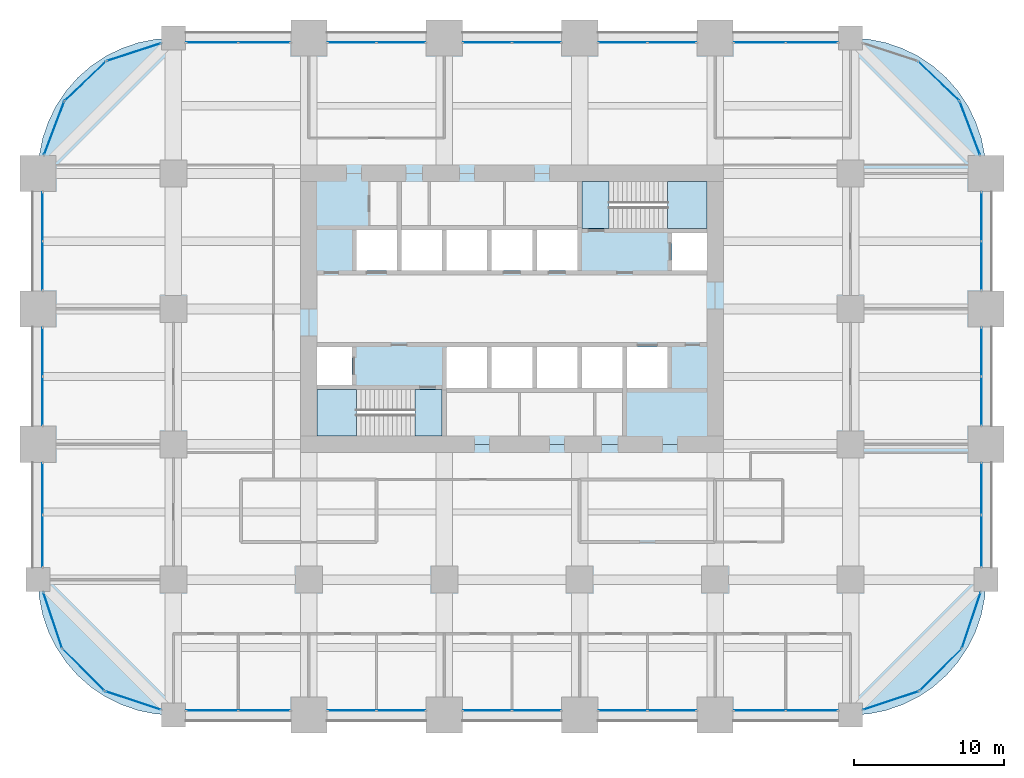
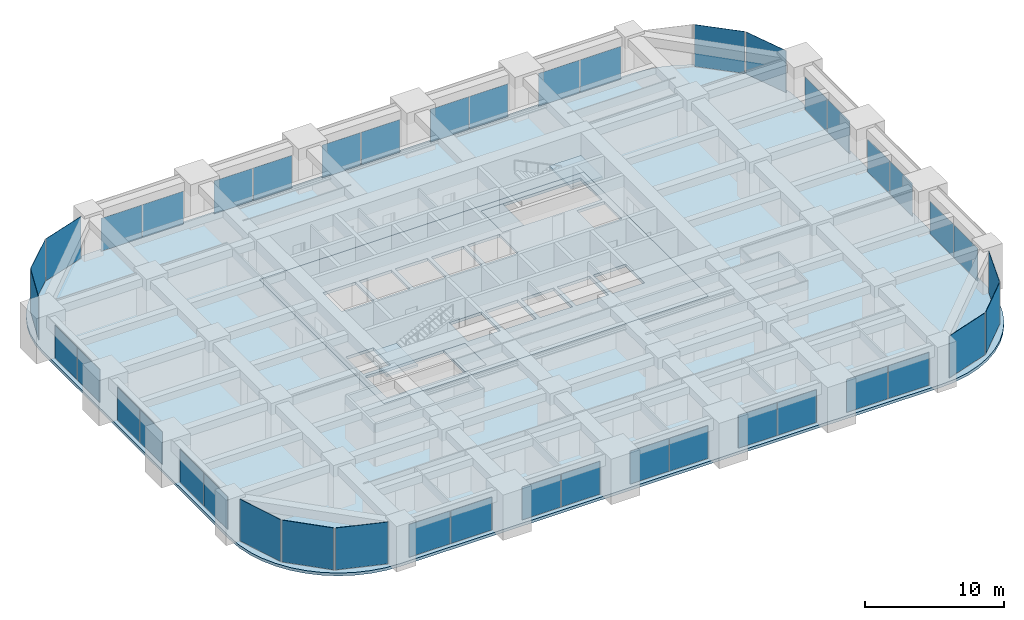
# One storey, part 35 of 40: 43 plates, 6 slabs, 29 elements without a shape of their own.
"""IFC4 building model written with IfcOpenShell, lengths in metres."""

from ifc_helpers import new_model, si_unit, direction, frame, origin, origin_2d, place, context, subcontext, project, spatial, polyline, rectangle, outline, extrude, material, layer, layer_set, type_object, element, aggregate, save


model = new_model("IFC4")

# Units and contexts
model_context = context("Model", 3, precision=1e-05, world=origin(), true_north=direction((0.0, 1.0)))
body_context = subcontext(model_context, "Body", "Model", "MODEL_VIEW")
ifc_project = project(units=[si_unit("LENGTHUNIT", "METRE"), si_unit("AREAUNIT", "SQUARE_METRE"), si_unit("VOLUMEUNIT", "CUBIC_METRE"), si_unit("PLANEANGLEUNIT", "RADIAN"), si_unit("MASSUNIT", "GRAM", prefix="KILO")], contexts=[model_context])

# Site, building, storey
site_placement = place(None, origin())
site = spatial("IfcSite", under=ifc_project, at=site_placement, CompositionType="ELEMENT")
building_placement = place(site_placement, origin())
building = spatial("IfcBuilding", under=site, at=building_placement, Name="Zorevar Civic Tower", CompositionType="ELEMENT")
storey_placement = place(building_placement, frame((0.0, 0.0, 133.0)))
storey = spatial("IfcBuildingStorey", under=building, at=storey_placement, Name="L32", CompositionType="ELEMENT", Elevation=133.0)

# Curtain wall, plates
ifc_material_1 = material(Name="Dark grey solar-control glass in black aluminium frame", Category="aluminium")
curtain_wall_type = type_object("IfcCurtainWallType", Name="Curtain wall CW3 mid zone", PredefinedType="NOTDEFINED", material=ifc_material_1)
curtain_wall_1_placement = place(storey_placement, origin())
curtain_wall_1 = element("IfcCurtainWall", 1, at=curtain_wall_1_placement, inside=storey, type_object=curtain_wall_type, Name="CW3 L32", PredefinedType="NOTDEFINED")
ifc_material_2 = material(Name="Dark grey solar-control glass", Category="glass")
ifc_layer_1 = layer(ifc_material_2, 0.030029296875)
ifc_layer_set_1 = layer_set([ifc_layer_1], Name="CW3 panel 30")
plate_type = type_object("IfcPlateType", Name="CW3 panel 30", PredefinedType="CURTAIN_PANEL", material=ifc_layer_set_1)
plate_1_placement = place(storey_placement, frame((11.56494140625, 0.300048828125, 0.06005859375), z_axis=(0.0, 0.0, 1.0), x_axis=(1.0, 0.0, 0.0)))
plate_1 = element("IfcPlate", 2, at=plate_1_placement, type_object=plate_type, Name="CW3 panel 1.1", PredefinedType="CURTAIN_PANEL", context=body_context, shape_type="SweptSolid", body=[
    extrude(rectangle(XDim=3.409912109375, YDim=0.030029296875, at=origin_2d()), origin(), (0.0, 0.0, 1.0), 2.889892578125),
])
plate_2_placement = place(storey_placement, frame((15.034912109375, 0.300048828125, 0.06005859375), z_axis=(0.0, 0.0, 1.0), x_axis=(1.0, 0.0, 0.0)))
plate_2 = element("IfcPlate", 3, at=plate_2_placement, type_object=plate_type, Name="CW3 panel 2.1", PredefinedType="CURTAIN_PANEL", context=body_context, shape_type="SweptSolid", body=[
    extrude(rectangle(XDim=3.409912109375, YDim=0.030029296875, at=origin_2d()), origin(), (0.0, 0.0, 1.0), 2.889892578125),
])
aggregate(curtain_wall_1, [plate_1, plate_2])

curtain_wall_2_placement = place(storey_placement, origin())
curtain_wall_2 = element("IfcCurtainWall", 4, at=curtain_wall_2_placement, inside=storey, type_object=curtain_wall_type, Name="CW3 L32", PredefinedType="NOTDEFINED")
plate_3_placement = place(storey_placement, frame((11.56494140625, 44.699951171875, 0.06005859375), z_axis=(0.0, 0.0, 1.0), x_axis=(1.0, 0.0, 0.0)))
plate_3 = element("IfcPlate", 5, at=plate_3_placement, type_object=plate_type, Name="CW3 panel 1.1", PredefinedType="CURTAIN_PANEL", context=body_context, shape_type="SweptSolid", body=[
    extrude(rectangle(XDim=3.409912109375, YDim=0.030029296875, at=origin_2d()), origin(), (0.0, 0.0, 1.0), 2.889892578125),
])
plate_4_placement = place(storey_placement, frame((15.034912109375, 44.699951171875, 0.06005859375), z_axis=(0.0, 0.0, 1.0), x_axis=(1.0, 0.0, 0.0)))
plate_4 = element("IfcPlate", 6, at=plate_4_placement, type_object=plate_type, Name="CW3 panel 2.1", PredefinedType="CURTAIN_PANEL", context=body_context, shape_type="SweptSolid", body=[
    extrude(rectangle(XDim=3.409912109375, YDim=0.030029296875, at=origin_2d()), origin(), (0.0, 0.0, 1.0), 2.889892578125),
])
aggregate(curtain_wall_2, [plate_3, plate_4])

curtain_wall_3_placement = place(storey_placement, origin())
curtain_wall_3 = element("IfcCurtainWall", 7, at=curtain_wall_3_placement, inside=storey, type_object=curtain_wall_type, Name="CW3 L32", PredefinedType="NOTDEFINED")
plate_5_placement = place(storey_placement, frame((20.864990234375, 0.300048828125, 0.06005859375), z_axis=(0.0, 0.0, 1.0), x_axis=(1.0, 0.0, 0.0)))
plate_5 = element("IfcPlate", 8, at=plate_5_placement, type_object=plate_type, Name="CW3 panel 1.1", PredefinedType="CURTAIN_PANEL", context=body_context, shape_type="SweptSolid", body=[
    extrude(rectangle(XDim=3.2099609375, YDim=0.030029296875, at=origin_2d()), origin(), (0.0, 0.0, 1.0), 2.889892578125),
])
plate_6_placement = place(storey_placement, frame((24.135009765625, 0.300048828125, 0.06005859375), z_axis=(0.0, 0.0, 1.0), x_axis=(1.0, 0.0, 0.0)))
plate_6 = element("IfcPlate", 9, at=plate_6_placement, type_object=plate_type, Name="CW3 panel 2.1", PredefinedType="CURTAIN_PANEL", context=body_context, shape_type="SweptSolid", body=[
    extrude(rectangle(XDim=3.2099609375, YDim=0.030029296875, at=origin_2d()), origin(), (0.0, 0.0, 1.0), 2.889892578125),
])
aggregate(curtain_wall_3, [plate_5, plate_6])

curtain_wall_4_placement = place(storey_placement, origin())
curtain_wall_4 = element("IfcCurtainWall", 10, at=curtain_wall_4_placement, inside=storey, type_object=curtain_wall_type, Name="CW3 L32", PredefinedType="NOTDEFINED")
plate_7_placement = place(storey_placement, frame((20.864990234375, 44.699951171875, 0.06005859375), z_axis=(0.0, 0.0, 1.0), x_axis=(1.0, 0.0, 0.0)))
plate_7 = element("IfcPlate", 11, at=plate_7_placement, type_object=plate_type, Name="CW3 panel 1.1", PredefinedType="CURTAIN_PANEL", context=body_context, shape_type="SweptSolid", body=[
    extrude(rectangle(XDim=3.2099609375, YDim=0.030029296875, at=origin_2d()), origin(), (0.0, 0.0, 1.0), 2.889892578125),
])
plate_8_placement = place(storey_placement, frame((24.135009765625, 44.699951171875, 0.06005859375), z_axis=(0.0, 0.0, 1.0), x_axis=(1.0, 0.0, 0.0)))
plate_8 = element("IfcPlate", 12, at=plate_8_placement, type_object=plate_type, Name="CW3 panel 2.1", PredefinedType="CURTAIN_PANEL", context=body_context, shape_type="SweptSolid", body=[
    extrude(rectangle(XDim=3.2099609375, YDim=0.030029296875, at=origin_2d()), origin(), (0.0, 0.0, 1.0), 2.889892578125),
])
aggregate(curtain_wall_4, [plate_7, plate_8])

curtain_wall_5_placement = place(storey_placement, origin())
curtain_wall_5 = element("IfcCurtainWall", 13, at=curtain_wall_5_placement, inside=storey, type_object=curtain_wall_type, Name="CW3 L32", PredefinedType="NOTDEFINED")
plate_9_placement = place(storey_placement, frame((29.864990234375, 0.300048828125, 0.06005859375), z_axis=(0.0, 0.0, 1.0), x_axis=(1.0, 0.0, 0.0)))
plate_9 = element("IfcPlate", 14, at=plate_9_placement, type_object=plate_type, Name="CW3 panel 1.1", PredefinedType="CURTAIN_PANEL", context=body_context, shape_type="SweptSolid", body=[
    extrude(rectangle(XDim=3.2099609375, YDim=0.030029296875, at=origin_2d()), origin(), (0.0, 0.0, 1.0), 2.889892578125),
])
plate_10_placement = place(storey_placement, frame((33.135009765625, 0.300048828125, 0.06005859375), z_axis=(0.0, 0.0, 1.0), x_axis=(1.0, 0.0, 0.0)))
plate_10 = element("IfcPlate", 15, at=plate_10_placement, type_object=plate_type, Name="CW3 panel 2.1", PredefinedType="CURTAIN_PANEL", context=body_context, shape_type="SweptSolid", body=[
    extrude(rectangle(XDim=3.2099609375, YDim=0.030029296875, at=origin_2d()), origin(), (0.0, 0.0, 1.0), 2.889892578125),
])
aggregate(curtain_wall_5, [plate_9, plate_10])

curtain_wall_6_placement = place(storey_placement, origin())
curtain_wall_6 = element("IfcCurtainWall", 16, at=curtain_wall_6_placement, inside=storey, type_object=curtain_wall_type, Name="CW3 L32", PredefinedType="NOTDEFINED")
plate_11_placement = place(storey_placement, frame((29.864990234375, 44.699951171875, 0.06005859375), z_axis=(0.0, 0.0, 1.0), x_axis=(1.0, 0.0, 0.0)))
plate_11 = element("IfcPlate", 17, at=plate_11_placement, type_object=plate_type, Name="CW3 panel 1.1", PredefinedType="CURTAIN_PANEL", context=body_context, shape_type="SweptSolid", body=[
    extrude(rectangle(XDim=3.2099609375, YDim=0.030029296875, at=origin_2d()), origin(), (0.0, 0.0, 1.0), 2.889892578125),
])
plate_12_placement = place(storey_placement, frame((33.135009765625, 44.699951171875, 0.06005859375), z_axis=(0.0, 0.0, 1.0), x_axis=(1.0, 0.0, 0.0)))
plate_12 = element("IfcPlate", 18, at=plate_12_placement, type_object=plate_type, Name="CW3 panel 2.1", PredefinedType="CURTAIN_PANEL", context=body_context, shape_type="SweptSolid", body=[
    extrude(rectangle(XDim=3.2099609375, YDim=0.030029296875, at=origin_2d()), origin(), (0.0, 0.0, 1.0), 2.889892578125),
])
aggregate(curtain_wall_6, [plate_11, plate_12])

curtain_wall_7_placement = place(storey_placement, origin())
curtain_wall_7 = element("IfcCurtainWall", 19, at=curtain_wall_7_placement, inside=storey, type_object=curtain_wall_type, Name="CW3 L32", PredefinedType="NOTDEFINED")
plate_13_placement = place(storey_placement, frame((38.864990234375, 0.300048828125, 0.06005859375), z_axis=(0.0, 0.0, 1.0), x_axis=(1.0, 0.0, 0.0)))
plate_13 = element("IfcPlate", 20, at=plate_13_placement, type_object=plate_type, Name="CW3 panel 1.1", PredefinedType="CURTAIN_PANEL", context=body_context, shape_type="SweptSolid", body=[
    extrude(rectangle(XDim=3.2099609375, YDim=0.030029296875, at=origin_2d()), origin(), (0.0, 0.0, 1.0), 2.889892578125),
])
plate_14_placement = place(storey_placement, frame((42.135009765625, 0.300048828125, 0.06005859375), z_axis=(0.0, 0.0, 1.0), x_axis=(1.0, 0.0, 0.0)))
plate_14 = element("IfcPlate", 21, at=plate_14_placement, type_object=plate_type, Name="CW3 panel 2.1", PredefinedType="CURTAIN_PANEL", context=body_context, shape_type="SweptSolid", body=[
    extrude(rectangle(XDim=3.2099609375, YDim=0.030029296875, at=origin_2d()), origin(), (0.0, 0.0, 1.0), 2.889892578125),
])
aggregate(curtain_wall_7, [plate_13, plate_14])

curtain_wall_8_placement = place(storey_placement, origin())
curtain_wall_8 = element("IfcCurtainWall", 22, at=curtain_wall_8_placement, inside=storey, type_object=curtain_wall_type, Name="CW3 L32", PredefinedType="NOTDEFINED")
plate_15_placement = place(storey_placement, frame((38.864990234375, 44.699951171875, 0.06005859375), z_axis=(0.0, 0.0, 1.0), x_axis=(1.0, 0.0, 0.0)))
plate_15 = element("IfcPlate", 23, at=plate_15_placement, type_object=plate_type, Name="CW3 panel 1.1", PredefinedType="CURTAIN_PANEL", context=body_context, shape_type="SweptSolid", body=[
    extrude(rectangle(XDim=3.2099609375, YDim=0.030029296875, at=origin_2d()), origin(), (0.0, 0.0, 1.0), 2.889892578125),
])
plate_16_placement = place(storey_placement, frame((42.135009765625, 44.699951171875, 0.06005859375), z_axis=(0.0, 0.0, 1.0), x_axis=(1.0, 0.0, 0.0)))
plate_16 = element("IfcPlate", 24, at=plate_16_placement, type_object=plate_type, Name="CW3 panel 2.1", PredefinedType="CURTAIN_PANEL", context=body_context, shape_type="SweptSolid", body=[
    extrude(rectangle(XDim=3.2099609375, YDim=0.030029296875, at=origin_2d()), origin(), (0.0, 0.0, 1.0), 2.889892578125),
])
aggregate(curtain_wall_8, [plate_15, plate_16])

curtain_wall_9_placement = place(storey_placement, origin())
curtain_wall_9 = element("IfcCurtainWall", 25, at=curtain_wall_9_placement, inside=storey, type_object=curtain_wall_type, Name="CW3 L32", PredefinedType="NOTDEFINED")
plate_17_placement = place(storey_placement, frame((47.965087890625, 0.300048828125, 0.06005859375), z_axis=(0.0, 0.0, 1.0), x_axis=(1.0, 0.0, 0.0)))
plate_17 = element("IfcPlate", 26, at=plate_17_placement, type_object=plate_type, Name="CW3 panel 1.1", PredefinedType="CURTAIN_PANEL", context=body_context, shape_type="SweptSolid", body=[
    extrude(rectangle(XDim=3.409912109375, YDim=0.030029296875, at=origin_2d()), origin(), (0.0, 0.0, 1.0), 2.889892578125),
])
plate_18_placement = place(storey_placement, frame((51.43505859375, 0.300048828125, 0.06005859375), z_axis=(0.0, 0.0, 1.0), x_axis=(1.0, 0.0, 0.0)))
plate_18 = element("IfcPlate", 27, at=plate_18_placement, type_object=plate_type, Name="CW3 panel 2.1", PredefinedType="CURTAIN_PANEL", context=body_context, shape_type="SweptSolid", body=[
    extrude(rectangle(XDim=3.409912109375, YDim=0.030029296875, at=origin_2d()), origin(), (0.0, 0.0, 1.0), 2.889892578125),
])
aggregate(curtain_wall_9, [plate_17, plate_18])

curtain_wall_10_placement = place(storey_placement, origin())
curtain_wall_10 = element("IfcCurtainWall", 28, at=curtain_wall_10_placement, inside=storey, type_object=curtain_wall_type, Name="CW3 L32", PredefinedType="NOTDEFINED")
plate_19_placement = place(storey_placement, frame((47.965087890625, 44.699951171875, 0.06005859375), z_axis=(0.0, 0.0, 1.0), x_axis=(1.0, 0.0, 0.0)))
plate_19 = element("IfcPlate", 29, at=plate_19_placement, type_object=plate_type, Name="CW3 panel 1.1", PredefinedType="CURTAIN_PANEL", context=body_context, shape_type="SweptSolid", body=[
    extrude(rectangle(XDim=3.409912109375, YDim=0.030029296875, at=origin_2d()), origin(), (0.0, 0.0, 1.0), 2.889892578125),
])
plate_20_placement = place(storey_placement, frame((51.43505859375, 44.699951171875, 0.06005859375), z_axis=(0.0, 0.0, 1.0), x_axis=(1.0, 0.0, 0.0)))
plate_20 = element("IfcPlate", 30, at=plate_20_placement, type_object=plate_type, Name="CW3 panel 2.1", PredefinedType="CURTAIN_PANEL", context=body_context, shape_type="SweptSolid", body=[
    extrude(rectangle(XDim=3.409912109375, YDim=0.030029296875, at=origin_2d()), origin(), (0.0, 0.0, 1.0), 2.889892578125),
])
aggregate(curtain_wall_10, [plate_19, plate_20])

curtain_wall_11_placement = place(storey_placement, origin())
curtain_wall_11 = element("IfcCurtainWall", 31, at=curtain_wall_11_placement, inside=storey, type_object=curtain_wall_type, Name="CW3 L32", PredefinedType="NOTDEFINED")
plate_21_placement = place(storey_placement, frame((0.300048828125, 11.56494140625, 0.06005859375), z_axis=(0.0, 0.0, 1.0), x_axis=(0.0, 1.0, 0.0)))
plate_21 = element("IfcPlate", 32, at=plate_21_placement, type_object=plate_type, Name="CW3 panel 1.1", PredefinedType="CURTAIN_PANEL", context=body_context, shape_type="SweptSolid", body=[
    extrude(rectangle(XDim=3.409912109375, YDim=0.030029296875, at=origin_2d()), origin(), (0.0, 0.0, 1.0), 2.889892578125),
])
plate_22_placement = place(storey_placement, frame((0.300048828125, 15.034912109375, 0.06005859375), z_axis=(0.0, 0.0, 1.0), x_axis=(0.0, 1.0, 0.0)))
plate_22 = element("IfcPlate", 33, at=plate_22_placement, type_object=plate_type, Name="CW3 panel 2.1", PredefinedType="CURTAIN_PANEL", context=body_context, shape_type="SweptSolid", body=[
    extrude(rectangle(XDim=3.409912109375, YDim=0.030029296875, at=origin_2d()), origin(), (0.0, 0.0, 1.0), 2.889892578125),
])
aggregate(curtain_wall_11, [plate_21, plate_22])

curtain_wall_12_placement = place(storey_placement, origin())
curtain_wall_12 = element("IfcCurtainWall", 34, at=curtain_wall_12_placement, inside=storey, type_object=curtain_wall_type, Name="CW3 L32", PredefinedType="NOTDEFINED")
plate_23_placement = place(storey_placement, frame((62.699951171875, 11.56494140625, 0.06005859375), z_axis=(0.0, 0.0, 1.0), x_axis=(0.0, 1.0, 0.0)))
plate_23 = element("IfcPlate", 35, at=plate_23_placement, type_object=plate_type, Name="CW3 panel 1.1", PredefinedType="CURTAIN_PANEL", context=body_context, shape_type="SweptSolid", body=[
    extrude(rectangle(XDim=3.409912109375, YDim=0.030029296875, at=origin_2d()), origin(), (0.0, 0.0, 1.0), 2.889892578125),
])
plate_24_placement = place(storey_placement, frame((62.699951171875, 15.034912109375, 0.06005859375), z_axis=(0.0, 0.0, 1.0), x_axis=(0.0, 1.0, 0.0)))
plate_24 = element("IfcPlate", 36, at=plate_24_placement, type_object=plate_type, Name="CW3 panel 2.1", PredefinedType="CURTAIN_PANEL", context=body_context, shape_type="SweptSolid", body=[
    extrude(rectangle(XDim=3.409912109375, YDim=0.030029296875, at=origin_2d()), origin(), (0.0, 0.0, 1.0), 2.889892578125),
])
aggregate(curtain_wall_12, [plate_23, plate_24])

curtain_wall_13_placement = place(storey_placement, origin())
curtain_wall_13 = element("IfcCurtainWall", 37, at=curtain_wall_13_placement, inside=storey, type_object=curtain_wall_type, Name="CW3 L32", PredefinedType="NOTDEFINED")
plate_25_placement = place(storey_placement, frame((0.300048828125, 20.864990234375, 0.06005859375), z_axis=(0.0, 0.0, 1.0), x_axis=(0.0, 1.0, 0.0)))
plate_25 = element("IfcPlate", 38, at=plate_25_placement, type_object=plate_type, Name="CW3 panel 1.1", PredefinedType="CURTAIN_PANEL", context=body_context, shape_type="SweptSolid", body=[
    extrude(rectangle(XDim=3.2099609375, YDim=0.030029296875, at=origin_2d()), origin(), (0.0, 0.0, 1.0), 2.889892578125),
])
plate_26_placement = place(storey_placement, frame((0.300048828125, 24.135009765625, 0.06005859375), z_axis=(0.0, 0.0, 1.0), x_axis=(0.0, 1.0, 0.0)))
plate_26 = element("IfcPlate", 39, at=plate_26_placement, type_object=plate_type, Name="CW3 panel 2.1", PredefinedType="CURTAIN_PANEL", context=body_context, shape_type="SweptSolid", body=[
    extrude(rectangle(XDim=3.2099609375, YDim=0.030029296875, at=origin_2d()), origin(), (0.0, 0.0, 1.0), 2.889892578125),
])
aggregate(curtain_wall_13, [plate_25, plate_26])

curtain_wall_14_placement = place(storey_placement, origin())
curtain_wall_14 = element("IfcCurtainWall", 40, at=curtain_wall_14_placement, inside=storey, type_object=curtain_wall_type, Name="CW3 L32", PredefinedType="NOTDEFINED")
plate_27_placement = place(storey_placement, frame((62.699951171875, 20.864990234375, 0.06005859375), z_axis=(0.0, 0.0, 1.0), x_axis=(0.0, 1.0, 0.0)))
plate_27 = element("IfcPlate", 41, at=plate_27_placement, type_object=plate_type, Name="CW3 panel 1.1", PredefinedType="CURTAIN_PANEL", context=body_context, shape_type="SweptSolid", body=[
    extrude(rectangle(XDim=3.2099609375, YDim=0.030029296875, at=origin_2d()), origin(), (0.0, 0.0, 1.0), 2.889892578125),
])
plate_28_placement = place(storey_placement, frame((62.699951171875, 24.135009765625, 0.06005859375), z_axis=(0.0, 0.0, 1.0), x_axis=(0.0, 1.0, 0.0)))
plate_28 = element("IfcPlate", 42, at=plate_28_placement, type_object=plate_type, Name="CW3 panel 2.1", PredefinedType="CURTAIN_PANEL", context=body_context, shape_type="SweptSolid", body=[
    extrude(rectangle(XDim=3.2099609375, YDim=0.030029296875, at=origin_2d()), origin(), (0.0, 0.0, 1.0), 2.889892578125),
])
aggregate(curtain_wall_14, [plate_27, plate_28])

curtain_wall_15_placement = place(storey_placement, origin())
curtain_wall_15 = element("IfcCurtainWall", 43, at=curtain_wall_15_placement, inside=storey, type_object=curtain_wall_type, Name="CW3 L32", PredefinedType="NOTDEFINED")
plate_29_placement = place(storey_placement, frame((0.300048828125, 29.864990234375, 0.06005859375), z_axis=(0.0, 0.0, 1.0), x_axis=(0.0, 1.0, 0.0)))
plate_29 = element("IfcPlate", 44, at=plate_29_placement, type_object=plate_type, Name="CW3 panel 1.1", PredefinedType="CURTAIN_PANEL", context=body_context, shape_type="SweptSolid", body=[
    extrude(rectangle(XDim=3.2099609375, YDim=0.030029296875, at=origin_2d()), origin(), (0.0, 0.0, 1.0), 2.889892578125),
])
plate_30_placement = place(storey_placement, frame((0.300048828125, 33.135009765625, 0.06005859375), z_axis=(0.0, 0.0, 1.0), x_axis=(0.0, 1.0, 0.0)))
plate_30 = element("IfcPlate", 45, at=plate_30_placement, type_object=plate_type, Name="CW3 panel 2.1", PredefinedType="CURTAIN_PANEL", context=body_context, shape_type="SweptSolid", body=[
    extrude(rectangle(XDim=3.2099609375, YDim=0.030029296875, at=origin_2d()), origin(), (0.0, 0.0, 1.0), 2.889892578125),
])
aggregate(curtain_wall_15, [plate_29, plate_30])

curtain_wall_16_placement = place(storey_placement, origin())
curtain_wall_16 = element("IfcCurtainWall", 46, at=curtain_wall_16_placement, inside=storey, type_object=curtain_wall_type, Name="CW3 L32", PredefinedType="NOTDEFINED")
plate_31_placement = place(storey_placement, frame((62.699951171875, 29.864990234375, 0.06005859375), z_axis=(0.0, 0.0, 1.0), x_axis=(0.0, 1.0, 0.0)))
plate_31 = element("IfcPlate", 47, at=plate_31_placement, type_object=plate_type, Name="CW3 panel 1.1", PredefinedType="CURTAIN_PANEL", context=body_context, shape_type="SweptSolid", body=[
    extrude(rectangle(XDim=3.2099609375, YDim=0.030029296875, at=origin_2d()), origin(), (0.0, 0.0, 1.0), 2.889892578125),
])
plate_32_placement = place(storey_placement, frame((62.699951171875, 33.135009765625, 0.06005859375), z_axis=(0.0, 0.0, 1.0), x_axis=(0.0, 1.0, 0.0)))
plate_32 = element("IfcPlate", 48, at=plate_32_placement, type_object=plate_type, Name="CW3 panel 2.1", PredefinedType="CURTAIN_PANEL", context=body_context, shape_type="SweptSolid", body=[
    extrude(rectangle(XDim=3.2099609375, YDim=0.030029296875, at=origin_2d()), origin(), (0.0, 0.0, 1.0), 2.889892578125),
])
aggregate(curtain_wall_16, [plate_31, plate_32])

# Curtain wall, plate
curtain_wall_17_placement = place(storey_placement, origin())
curtain_wall_17 = element("IfcCurtainWall", 49, at=curtain_wall_17_placement, inside=storey, type_object=curtain_wall_type, Name="CW3 L32", PredefinedType="NOTDEFINED")
plate_33_placement = place(storey_placement, frame((56.689453125, 0.9697265625, 0.06005859375), z_axis=(0.0, 0.0, 1.0), x_axis=(0.948227238701, 0.317592669603, 0.0)))
plate_33 = element("IfcPlate", 50, at=plate_33_placement, type_object=plate_type, Name="CW3 panel 1.1", PredefinedType="CURTAIN_PANEL", context=body_context, shape_type="SweptSolid", body=[
    extrude(rectangle(XDim=3.865478515625, YDim=0.030029296875, at=origin_2d()), origin(), (0.0, 0.0, 1.0), 3.68994140625),
])
aggregate(curtain_wall_17, [plate_33])

curtain_wall_18_placement = place(storey_placement, origin())
curtain_wall_18 = element("IfcCurtainWall", 51, at=curtain_wall_18_placement, inside=storey, type_object=curtain_wall_type, Name="CW3 L32", PredefinedType="NOTDEFINED")
plate_34_placement = place(storey_placement, frame((59.98828125, 3.01171875, 0.06005859375), z_axis=(0.0, 0.0, 1.0), x_axis=(0.707106781187, 0.707106781187, 0.0)))
plate_34 = element("IfcPlate", 52, at=plate_34_placement, type_object=plate_type, Name="CW3 panel 1.1", PredefinedType="CURTAIN_PANEL", context=body_context, shape_type="SweptSolid", body=[
    extrude(rectangle(XDim=3.865478515625, YDim=0.030029296875, at=origin_2d()), origin(), (0.0, 0.0, 1.0), 3.68994140625),
])
aggregate(curtain_wall_18, [plate_34])

curtain_wall_19_placement = place(storey_placement, origin())
curtain_wall_19 = element("IfcCurtainWall", 53, at=curtain_wall_19_placement, inside=storey, type_object=curtain_wall_type, Name="CW3 L32", PredefinedType="NOTDEFINED")
plate_35_placement = place(storey_placement, frame((62.0302734375, 6.310546875, 0.06005859375), z_axis=(0.0, 0.0, 1.0), x_axis=(0.317592669603, 0.948227238701, 0.0)))
plate_35 = element("IfcPlate", 54, at=plate_35_placement, type_object=plate_type, Name="CW3 panel 1.1", PredefinedType="CURTAIN_PANEL", context=body_context, shape_type="SweptSolid", body=[
    extrude(rectangle(XDim=3.865478515625, YDim=0.030029296875, at=origin_2d()), origin(), (0.0, 0.0, 1.0), 3.68994140625),
])
aggregate(curtain_wall_19, [plate_35])

curtain_wall_20_placement = place(storey_placement, origin())
curtain_wall_20 = element("IfcCurtainWall", 55, at=curtain_wall_20_placement, inside=storey, type_object=curtain_wall_type, Name="CW3 L32", PredefinedType="NOTDEFINED")
plate_36_placement = place(storey_placement, frame((61.9345703125, 39.002685546875, 0.06005859375), z_axis=(0.0, 0.0, 1.0), x_axis=(-0.353917722218, 0.935276561184, 0.0)))
plate_36 = element("IfcPlate", 56, at=plate_36_placement, type_object=plate_type, Name="CW3 panel 1.1", PredefinedType="CURTAIN_PANEL", context=body_context, shape_type="SweptSolid", body=[
    extrude(rectangle(XDim=3.734619140625, YDim=0.030029296875, at=origin_2d()), origin(), (0.0, 0.0, 1.0), 3.68994140625),
])
aggregate(curtain_wall_20, [plate_36])

curtain_wall_21_placement = place(storey_placement, origin())
curtain_wall_21 = element("IfcCurtainWall", 57, at=curtain_wall_21_placement, inside=storey, type_object=curtain_wall_type, Name="CW3 L32", PredefinedType="NOTDEFINED")
plate_37_placement = place(storey_placement, frame((59.8583984375, 42.13623046875, 0.06005859375), z_axis=(0.0, 0.0, 1.0), x_axis=(-0.723289117983, 0.690545329292, 0.0)))
plate_37 = element("IfcPlate", 58, at=plate_37_placement, type_object=plate_type, Name="CW3 panel 1.1", PredefinedType="CURTAIN_PANEL", context=body_context, shape_type="SweptSolid", body=[
    extrude(rectangle(XDim=3.734619140625, YDim=0.030029296875, at=origin_2d()), origin(), (0.0, 0.0, 1.0), 3.68994140625),
])
aggregate(curtain_wall_21, [plate_37])

curtain_wall_22_placement = place(storey_placement, origin())
curtain_wall_22 = element("IfcCurtainWall", 59, at=curtain_wall_22_placement, inside=storey, type_object=curtain_wall_type, Name="CW3 L32", PredefinedType="NOTDEFINED")
plate_38_placement = place(storey_placement, frame((6.36767578125, 44.065185546875, 0.06005859375), z_axis=(0.0, 0.0, 1.0), x_axis=(-0.950650706548, -0.310263169163, 0.0)))
plate_38 = element("IfcPlate", 60, at=plate_38_placement, type_object=plate_type, Name="CW3 panel 1.1", PredefinedType="CURTAIN_PANEL", context=body_context, shape_type="SweptSolid", body=[
    extrude(rectangle(XDim=3.734619140625, YDim=0.030029296875, at=origin_2d()), origin(), (0.0, 0.0, 1.0), 3.68994140625),
])
aggregate(curtain_wall_22, [plate_38])

curtain_wall_23_placement = place(storey_placement, origin())
curtain_wall_23 = element("IfcCurtainWall", 61, at=curtain_wall_23_placement, inside=storey, type_object=curtain_wall_type, Name="CW3 L32", PredefinedType="NOTDEFINED")
plate_39_placement = place(storey_placement, frame((3.1416015625, 42.13623046875, 0.06005859375), z_axis=(0.0, 0.0, 1.0), x_axis=(-0.723289117983, -0.690545329292, 0.0)))
plate_39 = element("IfcPlate", 62, at=plate_39_placement, type_object=plate_type, Name="CW3 panel 1.1", PredefinedType="CURTAIN_PANEL", context=body_context, shape_type="SweptSolid", body=[
    extrude(rectangle(XDim=3.734619140625, YDim=0.030029296875, at=origin_2d()), origin(), (0.0, 0.0, 1.0), 3.68994140625),
])
aggregate(curtain_wall_23, [plate_39])

curtain_wall_24_placement = place(storey_placement, origin())
curtain_wall_24 = element("IfcCurtainWall", 63, at=curtain_wall_24_placement, inside=storey, type_object=curtain_wall_type, Name="CW3 L32", PredefinedType="NOTDEFINED")
plate_40_placement = place(storey_placement, frame((1.0654296875, 39.002685546875, 0.06005859375), z_axis=(0.0, 0.0, 1.0), x_axis=(-0.353917722218, -0.935276561184, 0.0)))
plate_40 = element("IfcPlate", 64, at=plate_40_placement, type_object=plate_type, Name="CW3 panel 1.1", PredefinedType="CURTAIN_PANEL", context=body_context, shape_type="SweptSolid", body=[
    extrude(rectangle(XDim=3.734619140625, YDim=0.030029296875, at=origin_2d()), origin(), (0.0, 0.0, 1.0), 3.68994140625),
])
aggregate(curtain_wall_24, [plate_40])

curtain_wall_25_placement = place(storey_placement, origin())
curtain_wall_25 = element("IfcCurtainWall", 65, at=curtain_wall_25_placement, inside=storey, type_object=curtain_wall_type, Name="CW3 L32", PredefinedType="NOTDEFINED")
plate_41_placement = place(storey_placement, frame((0.9697265625, 6.310546875, 0.06005859375), z_axis=(0.0, 0.0, 1.0), x_axis=(0.317592669603, -0.948227238701, 0.0)))
plate_41 = element("IfcPlate", 66, at=plate_41_placement, type_object=plate_type, Name="CW3 panel 1.1", PredefinedType="CURTAIN_PANEL", context=body_context, shape_type="SweptSolid", body=[
    extrude(rectangle(XDim=3.865478515625, YDim=0.030029296875, at=origin_2d()), origin(), (0.0, 0.0, 1.0), 3.68994140625),
])
aggregate(curtain_wall_25, [plate_41])

curtain_wall_26_placement = place(storey_placement, origin())
curtain_wall_26 = element("IfcCurtainWall", 67, at=curtain_wall_26_placement, inside=storey, type_object=curtain_wall_type, Name="CW3 L32", PredefinedType="NOTDEFINED")
plate_42_placement = place(storey_placement, frame((3.01171875, 3.01171875, 0.06005859375), z_axis=(0.0, 0.0, 1.0), x_axis=(0.707106781187, -0.707106781187, 0.0)))
plate_42 = element("IfcPlate", 68, at=plate_42_placement, type_object=plate_type, Name="CW3 panel 1.1", PredefinedType="CURTAIN_PANEL", context=body_context, shape_type="SweptSolid", body=[
    extrude(rectangle(XDim=3.865478515625, YDim=0.030029296875, at=origin_2d()), origin(), (0.0, 0.0, 1.0), 3.68994140625),
])
aggregate(curtain_wall_26, [plate_42])

curtain_wall_27_placement = place(storey_placement, origin())
curtain_wall_27 = element("IfcCurtainWall", 69, at=curtain_wall_27_placement, inside=storey, type_object=curtain_wall_type, Name="CW3 L32", PredefinedType="NOTDEFINED")
plate_43_placement = place(storey_placement, frame((6.310546875, 0.9697265625, 0.06005859375), z_axis=(0.0, 0.0, 1.0), x_axis=(0.948227238701, -0.317592669603, 0.0)))
plate_43 = element("IfcPlate", 70, at=plate_43_placement, type_object=plate_type, Name="CW3 panel 1.1", PredefinedType="CURTAIN_PANEL", context=body_context, shape_type="SweptSolid", body=[
    extrude(rectangle(XDim=3.865478515625, YDim=0.030029296875, at=origin_2d()), origin(), (0.0, 0.0, 1.0), 3.68994140625),
])
aggregate(curtain_wall_27, [plate_43])

# Slabs
ifc_material_3 = material(Name="Concrete C40/50", Category="concrete")
ifc_layer_2 = layer(ifc_material_3, 0.25)
ifc_layer_set_2 = layer_set([ifc_layer_2], Name="Floor slab 250")
slab_type_1 = type_object("IfcSlabType", Name="Floor slab 250", PredefinedType="FLOOR", material=ifc_layer_set_2)
slab_1_placement = place(storey_placement, frame((0.0, 0.0, -0.25)))
element("IfcSlab", 71, at=slab_1_placement, inside=storey, type_object=slab_type_1, Name="Floor slab L32", PredefinedType="FLOOR", context=body_context, shape_type="SweptSolid", body=[
    extrude(outline(polyline([(54.0, 0.0), (55.1748046875, 0.076904296875), (56.329345703125, 0.306640625), (57.444091796875, 0.68505859375), (58.5, 1.205810546875), (59.478759765625, 1.85986328125), (60.364013671875, 2.635986328125), (61.14013671875, 3.521240234375), (61.794189453125, 4.5), (62.31494140625, 5.555908203125), (62.693359375, 6.670654296875), (62.923095703125, 7.8251953125), (63.0, 9.0), (63.0, 36.0), (62.923095703125, 37.1748046875), (62.693359375, 38.329345703125), (62.31494140625, 39.444091796875), (61.794189453125, 40.5), (61.14013671875, 41.478759765625), (60.364013671875, 42.364013671875), (59.478759765625, 43.14013671875), (58.5, 43.794189453125), (57.444091796875, 44.31494140625), (56.329345703125, 44.693359375), (55.1748046875, 44.923095703125), (54.0, 45.0), (9.0, 45.0), (7.8251953125, 44.923095703125), (6.670654296875, 44.693359375), (5.555908203125, 44.31494140625), (4.5, 43.794189453125), (3.521240234375, 43.14013671875), (2.635986328125, 42.364013671875), (1.85986328125, 41.478759765625), (1.205810546875, 40.5), (0.68505859375, 39.444091796875), (0.306640625, 38.329345703125), (0.076904296875, 37.1748046875), (0.0, 36.0), (0.0, 9.0), (0.076904296875, 7.8251953125), (0.306640625, 6.670654296875), (0.68505859375, 5.555908203125), (1.205810546875, 4.5), (1.85986328125, 3.521240234375), (2.635986328125, 2.635986328125), (3.521240234375, 1.85986328125), (4.5, 1.205810546875), (5.555908203125, 0.68505859375), (6.670654296875, 0.306640625), (7.8251953125, 0.076904296875), (9.0, 0.0), (54.0, 0.0)]), holes=[polyline([(18.0, 18.0), (45.0, 18.0), (45.0, 36.0), (18.0, 36.0), (18.0, 18.0)])]), origin(), (0.0, 0.0, 1.0), 0.25),
])
slab_2_placement = place(storey_placement, frame((0.0, 0.0, -0.25)))
element("IfcSlab", 72, at=slab_2_placement, inside=storey, type_object=slab_type_1, Name="Core floor L32", PredefinedType="FLOOR", context=body_context, shape_type="SweptSolid", body=[
    extrude(outline(polyline([(18.0, 18.0), (45.0, 18.0), (45.0, 36.0), (18.0, 36.0), (18.0, 18.0)]), holes=[polyline([(18.550048828125, 18.550048828125), (26.85009765625, 18.550048828125), (26.85009765625, 21.64990234375), (18.550048828125, 21.64990234375), (18.550048828125, 18.550048828125)]), polyline([(36.14990234375, 32.35009765625), (44.449951171875, 32.35009765625), (44.449951171875, 35.449951171875), (36.14990234375, 35.449951171875), (36.14990234375, 32.35009765625)]), polyline([(18.550048828125, 21.949951171875), (20.85009765625, 21.949951171875), (20.85009765625, 24.449951171875), (18.550048828125, 24.449951171875), (18.550048828125, 21.949951171875)]), polyline([(42.14990234375, 29.550048828125), (44.449951171875, 29.550048828125), (44.449951171875, 32.050048828125), (42.14990234375, 32.050048828125), (42.14990234375, 29.550048828125)]), polyline([(27.14990234375, 21.75), (29.85009765625, 21.75), (29.85009765625, 24.449951171875), (27.14990234375, 24.449951171875), (27.14990234375, 21.75)]), polyline([(33.14990234375, 29.550048828125), (35.85009765625, 29.550048828125), (35.85009765625, 32.25), (33.14990234375, 32.25), (33.14990234375, 29.550048828125)]), polyline([(30.14990234375, 21.75), (32.85009765625, 21.75), (32.85009765625, 24.449951171875), (30.14990234375, 24.449951171875), (30.14990234375, 21.75)]), polyline([(30.14990234375, 29.550048828125), (32.85009765625, 29.550048828125), (32.85009765625, 32.25), (30.14990234375, 32.25), (30.14990234375, 29.550048828125)]), polyline([(33.14990234375, 21.75), (35.85009765625, 21.75), (35.85009765625, 24.449951171875), (33.14990234375, 24.449951171875), (33.14990234375, 21.75)]), polyline([(27.14990234375, 29.550048828125), (29.85009765625, 29.550048828125), (29.85009765625, 32.25), (27.14990234375, 32.25), (27.14990234375, 29.550048828125)]), polyline([(36.14990234375, 21.75), (38.85009765625, 21.75), (38.85009765625, 24.449951171875), (36.14990234375, 24.449951171875), (36.14990234375, 21.75)]), polyline([(24.14990234375, 29.550048828125), (26.85009765625, 29.550048828125), (26.85009765625, 32.25), (24.14990234375, 32.25), (24.14990234375, 29.550048828125)]), polyline([(39.14990234375, 21.75), (41.85009765625, 21.75), (41.85009765625, 24.449951171875), (39.14990234375, 24.449951171875), (39.14990234375, 21.75)]), polyline([(21.14990234375, 29.550048828125), (23.85009765625, 29.550048828125), (23.85009765625, 32.25), (21.14990234375, 32.25), (21.14990234375, 29.550048828125)])]), origin(), (0.0, 0.0, 1.0), 0.25),
])

# Stair, slabs
ifc_material_4 = material(Name="Precast concrete C40/50", Category="concrete")
stair_type = type_object("IfcStairType", Name="Stair ST 28R", PredefinedType="HALF_TURN_STAIR", material=ifc_material_4)
stair_1_placement = place(storey_placement, origin())
stair_1 = element("IfcStair", 73, at=stair_1_placement, inside=storey, type_object=stair_type, Name="Stair ST1 L32", PredefinedType="HALF_TURN_STAIR")
ifc_material_5 = material(Name="Concrete C40/50", Category="concrete")
ifc_layer_3 = layer(ifc_material_5, 0.199951171875)
ifc_layer_set_3 = layer_set([ifc_layer_3], Name="Stair landing 200")
slab_type_2 = type_object("IfcSlabType", Name="Stair landing 200", PredefinedType="LANDING", material=ifc_layer_set_3)
slab_3_placement = place(storey_placement, frame((0.0, 0.0, -0.199951171875)))
slab_3 = element("IfcSlab", 74, at=slab_3_placement, type_object=slab_type_2, Name="ST1 landing 1", PredefinedType="LANDING", context=body_context, shape_type="SweptSolid", body=[
    extrude(outline(polyline([(25.050048828125, 18.550048828125), (26.85009765625, 18.550048828125), (26.85009765625, 21.64990234375), (25.050048828125, 21.64990234375), (25.050048828125, 18.550048828125)])), origin(), (0.0, 0.0, 1.0), 0.199951171875),
])
slab_4_placement = place(storey_placement, frame((0.0, 0.0, 1.800048828125)))
slab_4 = element("IfcSlab", 75, at=slab_4_placement, type_object=slab_type_2, Name="ST1 landing 2", PredefinedType="LANDING", context=body_context, shape_type="SweptSolid", body=[
    extrude(outline(polyline([(18.550048828125, 18.550048828125), (21.14990234375, 18.550048828125), (21.14990234375, 21.64990234375), (18.550048828125, 21.64990234375), (18.550048828125, 18.550048828125)])), origin(), (0.0, 0.0, 1.0), 0.199951171875),
])
aggregate(stair_1, [slab_3, slab_4])

stair_2_placement = place(storey_placement, origin())
stair_2 = element("IfcStair", 76, at=stair_2_placement, inside=storey, type_object=stair_type, Name="Stair ST2 L32", PredefinedType="HALF_TURN_STAIR")
slab_5_placement = place(storey_placement, frame((0.0, 0.0, -0.199951171875)))
slab_5 = element("IfcSlab", 77, at=slab_5_placement, type_object=slab_type_2, Name="ST2 landing 1", PredefinedType="LANDING", context=body_context, shape_type="SweptSolid", body=[
    extrude(outline(polyline([(37.949951171875, 32.35009765625), (36.14990234375, 32.35009765625), (36.14990234375, 35.449951171875), (37.949951171875, 35.449951171875), (37.949951171875, 32.35009765625)])), origin(), (0.0, 0.0, 1.0), 0.199951171875),
])
slab_6_placement = place(storey_placement, frame((0.0, 0.0, 1.800048828125)))
slab_6 = element("IfcSlab", 78, at=slab_6_placement, type_object=slab_type_2, Name="ST2 landing 2", PredefinedType="LANDING", context=body_context, shape_type="SweptSolid", body=[
    extrude(outline(polyline([(44.449951171875, 32.35009765625), (41.85009765625, 32.35009765625), (41.85009765625, 35.449951171875), (44.449951171875, 35.449951171875), (44.449951171875, 32.35009765625)])), origin(), (0.0, 0.0, 1.0), 0.199951171875),
])
aggregate(stair_2, [slab_5, slab_6])

save(model, "model.ifc")
